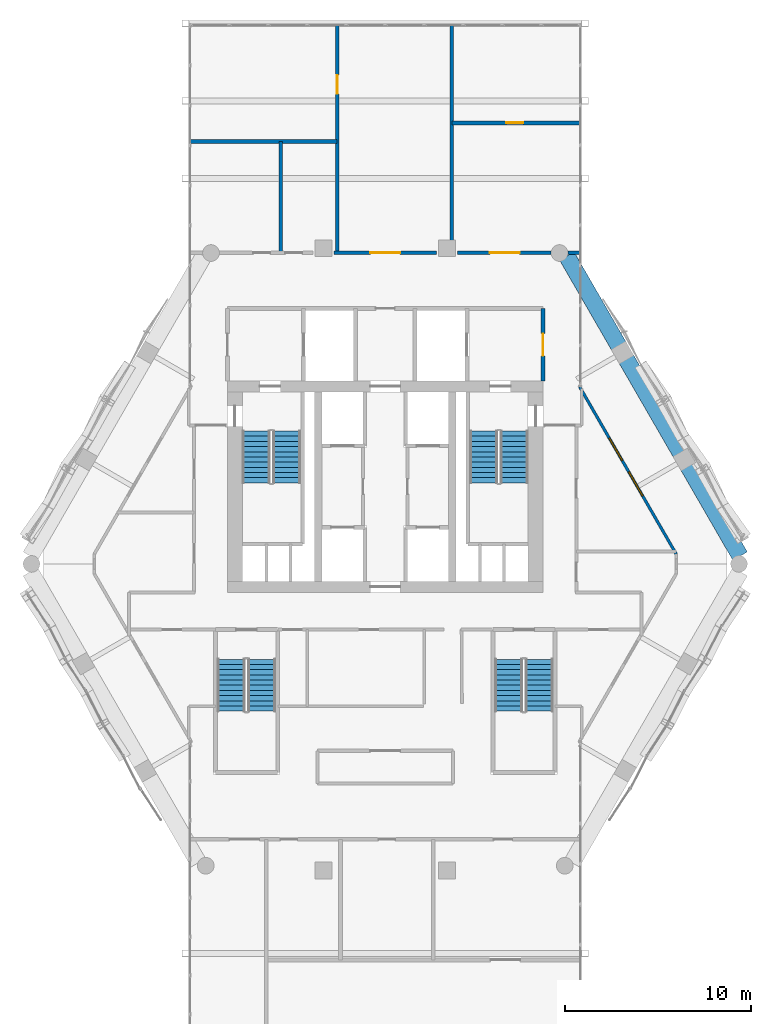
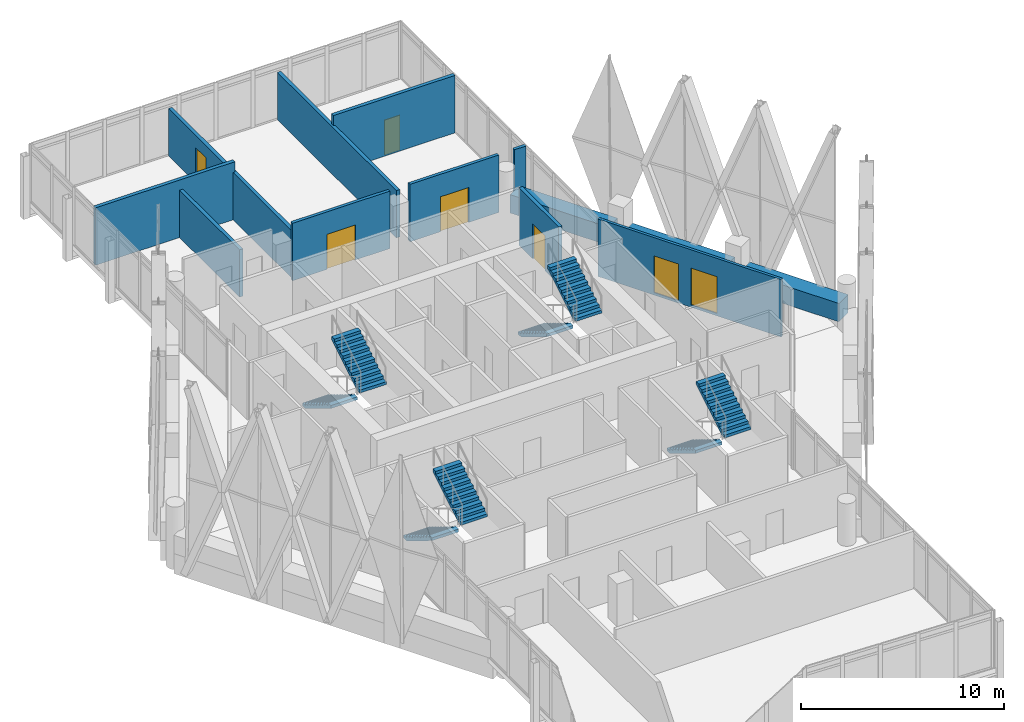
# One storey, part 32 of 37: 13 walls, 8 stair flights, 5 doors, 2 windows, 7 openings, 4 elements without a shape of their own.
"""IFC4 building model written with IfcOpenShell, lengths in metres."""

from ifc_helpers import new_model, si_unit, direction, frame, frame_2d, origin, place, context, subcontext, project, spatial, polyline, rectangle, outline, extrude, material, layer, layer_set, type_object, element, fill, aggregate, save


model = new_model("IFC4")

# Units and contexts
model_context = context("Model", 3, precision=1e-05, world=origin(), true_north=direction((0.0, 1.0)))
body_context = subcontext(model_context, "Body", "Model", "MODEL_VIEW")
ifc_project = project(units=[si_unit("LENGTHUNIT", "METRE"), si_unit("AREAUNIT", "SQUARE_METRE"), si_unit("VOLUMEUNIT", "CUBIC_METRE"), si_unit("PLANEANGLEUNIT", "RADIAN"), si_unit("MASSUNIT", "GRAM", prefix="KILO")], contexts=[model_context])

# Site, building, storey
site_placement = place(None, origin())
site = spatial("IfcSite", under=ifc_project, at=site_placement, CompositionType="ELEMENT")
building_placement = place(site_placement, origin())
building = spatial("IfcBuilding", under=site, at=building_placement, Name="Ostrander Bayou Hotel Tower", CompositionType="ELEMENT")
storey_placement = place(building_placement, frame((0.0, 0.0, 225.75)))
storey = spatial("IfcBuildingStorey", under=building, at=storey_placement, Name="L56", CompositionType="ELEMENT", Elevation=225.75)

# Wall, openings, windows
ifc_material_1 = material(Name="Aluminium framed insulated wall", Category="aluminium")
ifc_layer_1 = layer(ifc_material_1, 0.14990234375)
ifc_layer_set_1 = layer_set([ifc_layer_1], Name="GW1 glass-line wall 150 mm")
wall_type_1 = type_object("IfcWallType", Name="GW1 glass-line wall 150 mm", PredefinedType="SOLIDWALL", material=ifc_layer_set_1)
wall_1_placement = place(storey_placement, frame((15.67724609375, 0.368896484375, 0.0), z_axis=(0.0, 0.0, 1.0), x_axis=(-0.49999822861, 0.866026426494, 0.0)))
wall_1 = element("IfcWall", 1, at=wall_1_placement, inside=storey, type_object=wall_type_1, Name="GW1 L56 NE 1", PredefinedType="SOLIDWALL", context=body_context, shape_type="SweptSolid", body=[
    extrude(rectangle(XDim=10.396484375, YDim=0.14990234375, at=frame_2d((5.1982421875, 0.0))), origin(), (0.0, 0.0, 1.0), 3.449951171875),
])
opening_1_placement = place(wall_1_placement, frame((3.619140625, 0.0, 0.14990234375)))
opening_1 = element("IfcOpeningElement", 2, at=opening_1_placement, cuts=wall_1, Name="Opening W10", PredefinedType="OPENING", context=body_context, shape_type="SweptSolid", body=[
    extrude(rectangle(XDim=1.5, YDim=2.199951171875, at=frame_2d((0.75, 1.10009765625))), frame((0.0, 0.074951171875, 0.0), z_axis=(0.0, -1.0, 0.0), x_axis=(1.0, 0.0, 0.0)), (0.0, 0.0, 1.0), 0.14990234375),
])
opening_2_placement = place(wall_1_placement, frame((5.819091796875, 0.0, 0.14990234375)))
opening_2 = element("IfcOpeningElement", 3, at=opening_2_placement, cuts=wall_1, Name="Opening W14", PredefinedType="OPENING", context=body_context, shape_type="SweptSolid", body=[
    extrude(rectangle(XDim=1.39990234375, YDim=2.199951171875, at=frame_2d((0.699951171875, 1.10009765625))), frame((0.0, 0.074951171875, 0.0), z_axis=(0.0, -1.0, 0.0), x_axis=(1.0, 0.0, 0.0)), (0.0, 0.0, 1.0), 0.14990234375),
])
ifc_material_2 = material(Name="Aluminium and clear glass", Category="aluminium")
window_type_1 = type_object("IfcWindowType", Name="W10 fixed window 1500 mm, bar storeys, zone 4", PartitioningType="SINGLE_PANEL", PredefinedType="WINDOW", material=ifc_material_2)
window_1_placement = place(opening_1_placement, origin())
window_1 = element("IfcWindow", 4, at=window_1_placement, inside=storey, type_object=window_type_1, Name="W10 L56 NE 2", OverallHeight=2.199951171875, OverallWidth=1.5, PartitioningType="SINGLE_PANEL", PredefinedType="WINDOW", context=body_context, shape_type="SweptSolid", body=[
    extrude(rectangle(XDim=1.5, YDim=2.199951171875, at=frame_2d((0.75, 1.10009765625))), frame((0.0, 0.030029296875, 0.0), z_axis=(0.0, -1.0, 0.0), x_axis=(1.0, 0.0, 0.0)), (0.0, 0.0, 1.0), 0.06005859375),
])
fill(opening_1, window_1)
ifc_material_3 = material(Name="Aluminium and clear glass", Category="aluminium")
window_type_2 = type_object("IfcWindowType", Name="W14 fixed window 1400 mm, bath bay, zone 4", PartitioningType="SINGLE_PANEL", PredefinedType="WINDOW", material=ifc_material_3)
window_2_placement = place(opening_2_placement, origin())
window_2 = element("IfcWindow", 5, at=window_2_placement, inside=storey, type_object=window_type_2, Name="W14 L56 NE 2", OverallHeight=2.199951171875, OverallWidth=1.39990234375, PartitioningType="SINGLE_PANEL", PredefinedType="WINDOW", context=body_context, shape_type="SweptSolid", body=[
    extrude(rectangle(XDim=1.39990234375, YDim=2.199951171875, at=frame_2d((0.699951171875, 1.10009765625))), frame((0.0, 0.030029296875, 0.0), z_axis=(0.0, -1.0, 0.0), x_axis=(1.0, 0.0, 0.0)), (0.0, 0.0, 1.0), 0.06005859375),
])
fill(opening_2, window_2)

# Walls
ifc_material_4 = material(Name="Concrete f'c 40 MPa", Category="concrete")
ifc_layer_2 = layer(ifc_material_4, 0.89990234375)
ifc_layer_set_2 = layer_set([ifc_layer_2], Name="PA1 stone-faced parapet 900 mm")
wall_type_2 = type_object("IfcWallType", Name="PA1 stone-faced parapet 900 mm", PredefinedType="PARAPET", material=ifc_layer_set_2)
wall_2_placement = place(storey_placement, frame((19.11865234375, 0.25830078125, 0.0), z_axis=(0.0, 0.0, 1.0), x_axis=(-0.500007442593, 0.866021106759, 0.0)))
element("IfcWall", 6, at=wall_2_placement, inside=storey, type_object=wall_type_2, Name="PA1 L56 NE-1", PredefinedType="PARAPET", context=body_context, shape_type="SweptSolid", body=[
    extrude(rectangle(XDim=5.58642578125, YDim=0.89990234375, at=frame_2d((2.793212890625, 0.0))), origin(), (0.0, 0.0, 1.0), 1.10009765625),
])
wall_3_placement = place(storey_placement, frame((15.905517578125, 5.823486328125, 0.0), z_axis=(0.0, 0.0, 1.0), x_axis=(-0.499997265274, 0.866026982673, 0.0)))
element("IfcWall", 7, at=wall_3_placement, inside=storey, type_object=wall_type_2, Name="PA1 L56 NE-2", PredefinedType="PARAPET", context=body_context, shape_type="SweptSolid", body=[
    extrude(rectangle(XDim=5.81884765625, YDim=0.89990234375, at=frame_2d((2.909423828125, 0.0))), origin(), (0.0, 0.0, 1.0), 1.10009765625),
])
wall_4_placement = place(storey_placement, frame((12.576171875, 11.590087890625, 0.0), z_axis=(0.0, 0.0, 1.0), x_axis=(-0.500007442593, 0.866021106759, 0.0)))
element("IfcWall", 8, at=wall_4_placement, inside=storey, type_object=wall_type_2, Name="PA1 L56 NE-3", PredefinedType="PARAPET", context=body_context, shape_type="SweptSolid", body=[
    extrude(rectangle(XDim=5.58642578125, YDim=0.89990234375, at=frame_2d((2.793212890625, 0.0))), origin(), (0.0, 0.0, 1.0), 1.10009765625),
])
ifc_material_5 = material(Name="Gypsum board partition", Category="finish")
ifc_layer_3 = layer(ifc_material_5, 0.199951171875)
ifc_layer_set_3 = layer_set([ifc_layer_3], Name="PT3 demising wall 200 mm acoustic double stud, 1 hour")
wall_type_3 = type_object("IfcWallType", Name="PT3 demising wall 200 mm acoustic double stud, 1 hour", PredefinedType="PARTITIONING", material=ifc_layer_set_3)
wall_5_placement = place(storey_placement, frame((-10.4931640625, 22.60009765625, 0.0), z_axis=(0.0, 0.0, 1.0), x_axis=(1.0, 0.0, 0.0)))
element("IfcWall", 9, at=wall_5_placement, inside=storey, type_object=wall_type_3, Name="sw:L56:511", PredefinedType="PARTITIONING", context=body_context, shape_type="SweptSolid", body=[
    extrude(rectangle(XDim=7.906005859375, YDim=0.199951171875, at=frame_2d((3.953125, 0.0))), origin(), (0.0, 0.0, 1.0), 3.449951171875),
])

# Wall, opening, door
wall_6_placement = place(storey_placement, frame((3.587158203125, 23.60009765625, 0.0), z_axis=(0.0, 0.0, 1.0), x_axis=(1.0, 0.0, 0.0)))
wall_6 = element("IfcWall", 10, at=wall_6_placement, inside=storey, type_object=wall_type_3, Name="sw:L56:512", PredefinedType="PARTITIONING", context=body_context, shape_type="SweptSolid", body=[
    extrude(rectangle(XDim=6.906005859375, YDim=0.199951171875, at=frame_2d((3.453125, 0.0))), origin(), (0.0, 0.0, 1.0), 3.449951171875),
])
opening_3_placement = place(wall_6_placement, frame((2.93505859375, 0.0, 0.0)))
opening_3 = element("IfcOpeningElement", 11, at=opening_3_placement, cuts=wall_6, Name="Opening T55-1207", PredefinedType="OPENING", context=body_context, shape_type="SweptSolid", body=[
    extrude(rectangle(XDim=0.89990234375, YDim=2.10009765625, at=frame_2d((0.449951171875, 1.050048828125))), frame((0.0, 0.10009765625, 0.0), z_axis=(0.0, -1.0, 0.0), x_axis=(1.0, 0.0, 0.0)), (0.0, 0.0, 1.0), 0.199951171875),
])
ifc_material_6 = material(Name="Timber door leaf", Category="wood")
door_type_1 = type_object("IfcDoorType", Name="D8 room door 900 x 2100 mm", OperationType="SINGLE_SWING_LEFT", PredefinedType="DOOR", material=ifc_material_6)
door_1_placement = place(opening_3_placement, origin())
door_1 = element("IfcDoor", 12, at=door_1_placement, inside=storey, type_object=door_type_1, Name="dr:L56:1207", OperationType="SINGLE_SWING_LEFT", OverallHeight=2.10009765625, OverallWidth=0.89990234375, PredefinedType="DOOR", context=body_context, shape_type="SweptSolid", body=[
    extrude(rectangle(XDim=0.89990234375, YDim=2.10009765625, at=frame_2d((0.449951171875, 1.050048828125))), frame((0.0, 0.02490234375, 0.0), z_axis=(0.0, -1.0, 0.0), x_axis=(1.0, 0.0, 0.0)), (0.0, 0.0, 1.0), 0.050048828125),
])
fill(opening_3, door_1)

# Wall
wall_7_placement = place(storey_placement, frame((-5.626953125, 16.60009765625, 0.0), z_axis=(0.0, 0.0, 1.0), x_axis=(0.0, 1.0, 0.0)))
element("IfcWall", 13, at=wall_7_placement, inside=storey, type_object=wall_type_3, Name="sw:L56:514", PredefinedType="PARTITIONING", context=body_context, shape_type="SweptSolid", body=[
    extrude(rectangle(XDim=6.0, YDim=0.199951171875, at=frame_2d((3.0, 0.0))), origin(), (0.0, 0.0, 1.0), 2.8388671875),
])

# Wall, opening, door
wall_8_placement = place(storey_placement, frame((-2.5869140625, 16.60009765625, 0.0), z_axis=(0.0, 0.0, 1.0), x_axis=(0.0, 1.0, 0.0)))
wall_8 = element("IfcWall", 14, at=wall_8_placement, inside=storey, type_object=wall_type_3, Name="sw:L56:515", PredefinedType="PARTITIONING", context=body_context, shape_type="SweptSolid", body=[
    extrude(rectangle(XDim=12.24755859375, YDim=0.199951171875, at=frame_2d((6.123779296875, 0.0))), origin(), (0.0, 0.0, 1.0), 2.8388671875),
])
opening_4_placement = place(wall_8_placement, frame((8.568359375, 0.0, 0.0)))
opening_4 = element("IfcOpeningElement", 15, at=opening_4_placement, cuts=wall_8, Name="Opening T55-1208", PredefinedType="OPENING", context=body_context, shape_type="SweptSolid", body=[
    extrude(rectangle(XDim=1.0, YDim=2.10009765625, at=frame_2d((0.5, 1.050048828125))), frame((0.0, 0.10009765625, 0.0), z_axis=(0.0, -1.0, 0.0), x_axis=(1.0, 0.0, 0.0)), (0.0, 0.0, 1.0), 0.199951171875),
])
ifc_material_7 = material(Name="Timber door leaf", Category="wood")
door_type_2 = type_object("IfcDoorType", Name="D9 service door 1000 x 2100 mm, 30 minute", OperationType="SINGLE_SWING_LEFT", PredefinedType="DOOR", material=ifc_material_7)
door_2_placement = place(opening_4_placement, origin())
door_2 = element("IfcDoor", 16, at=door_2_placement, inside=storey, type_object=door_type_2, Name="dr:L56:1208", OperationType="SINGLE_SWING_RIGHT", OverallHeight=2.10009765625, OverallWidth=1.0, PredefinedType="DOOR", context=body_context, shape_type="SweptSolid", body=[
    extrude(rectangle(XDim=1.0, YDim=2.10009765625, at=frame_2d((0.5, 1.050048828125))), frame((0.0, 0.02490234375, 0.0), z_axis=(0.0, -1.0, 0.0), x_axis=(1.0, 0.0, 0.0)), (0.0, 0.0, 1.0), 0.050048828125),
])
fill(opening_4, door_2)

# Wall
wall_9_placement = place(storey_placement, frame((3.5869140625, 17.139892578125, 0.0), z_axis=(0.0, 0.0, 1.0), x_axis=(0.0, 1.0, 0.0)))
element("IfcWall", 17, at=wall_9_placement, inside=storey, type_object=wall_type_3, Name="sw:L56:518", PredefinedType="PARTITIONING", context=body_context, shape_type="SweptSolid", body=[
    extrude(rectangle(XDim=11.707763671875, YDim=0.199951171875, at=frame_2d((5.85400390625, 0.0))), origin(), (0.0, 0.0, 1.0), 2.8388671875),
])

# Wall, opening, door
ifc_material_8 = material(Name="Gypsum board partition", Category="finish")
ifc_layer_4 = layer(ifc_material_8, 0.175048828125)
ifc_layer_set_4 = layer_set([ifc_layer_4], Name="PT4 corridor wall 175 mm, 1 hour")
wall_type_4 = type_object("IfcWallType", Name="PT4 corridor wall 175 mm, 1 hour", PredefinedType="PARTITIONING", material=ifc_layer_set_4)
wall_10_placement = place(storey_placement, frame((-2.760009765625, 16.60009765625, 0.0), z_axis=(0.0, 0.0, 1.0), x_axis=(1.0, 0.0, 0.0)))
wall_10 = element("IfcWall", 18, at=wall_10_placement, inside=storey, type_object=wall_type_4, Name="sw:L56:505", PredefinedType="PARTITIONING", context=body_context, shape_type="SweptSolid", body=[
    extrude(rectangle(XDim=5.52001953125, YDim=0.175048828125, at=frame_2d((2.760009765625, 0.0))), origin(), (0.0, 0.0, 1.0), 3.449951171875),
])
opening_5_placement = place(wall_10_placement, frame((1.9599609375, 0.0, 0.0)))
opening_5 = element("IfcOpeningElement", 19, at=opening_5_placement, cuts=wall_10, Name="Opening T55-1211", PredefinedType="OPENING", context=body_context, shape_type="SweptSolid", body=[
    extrude(rectangle(XDim=1.60009765625, YDim=2.10009765625, at=frame_2d((0.800048828125, 1.050048828125))), frame((0.0, 0.08740234375, 0.0), z_axis=(0.0, -1.0, 0.0), x_axis=(1.0, 0.0, 0.0)), (0.0, 0.0, 1.0), 0.175048828125),
])
ifc_material_9 = material(Name="Timber door leaf", Category="wood")
door_type_3 = type_object("IfcDoorType", Name="D13 double door 1600 x 2100 mm, 1 hour", OperationType="SINGLE_SWING_LEFT", PredefinedType="DOOR", material=ifc_material_9)
door_3_placement = place(opening_5_placement, origin())
door_3 = element("IfcDoor", 20, at=door_3_placement, inside=storey, type_object=door_type_3, Name="dr:L56:1211", OperationType="DOUBLE_DOOR_SINGLE_SWING", OverallHeight=2.10009765625, OverallWidth=1.60009765625, PredefinedType="DOOR", context=body_context, shape_type="SweptSolid", body=[
    extrude(rectangle(XDim=1.60009765625, YDim=2.10009765625, at=frame_2d((0.800048828125, 1.050048828125))), frame((0.0, 0.02490234375, 0.0), z_axis=(0.0, -1.0, 0.0), x_axis=(1.0, 0.0, 0.0)), (0.0, 0.0, 1.0), 0.050048828125),
])
fill(opening_5, door_3)

wall_11_placement = place(storey_placement, frame((3.89892578125, 16.60009765625, 0.0), z_axis=(0.0, 0.0, 1.0), x_axis=(1.0, 0.0, 0.0)))
wall_11 = element("IfcWall", 21, at=wall_11_placement, inside=storey, type_object=wall_type_4, Name="sw:L56:506", PredefinedType="PARTITIONING", context=body_context, shape_type="SweptSolid", body=[
    extrude(rectangle(XDim=5.040771484375, YDim=0.175048828125, at=frame_2d((2.5205078125, 0.0))), origin(), (0.0, 0.0, 1.0), 3.449951171875),
])
opening_6_placement = place(wall_11_placement, frame((1.740966796875, 0.0, 0.0)))
opening_6 = element("IfcOpeningElement", 22, at=opening_6_placement, cuts=wall_11, Name="Opening T55-1206", PredefinedType="OPENING", context=body_context, shape_type="SweptSolid", body=[
    extrude(rectangle(XDim=1.60009765625, YDim=2.10009765625, at=frame_2d((0.800048828125, 1.050048828125))), frame((0.0, 0.08740234375, 0.0), z_axis=(0.0, -1.0, 0.0), x_axis=(1.0, 0.0, 0.0)), (0.0, 0.0, 1.0), 0.175048828125),
])
door_4_placement = place(opening_6_placement, origin())
door_4 = element("IfcDoor", 23, at=door_4_placement, inside=storey, type_object=door_type_3, Name="dr:L56:1206", OperationType="DOUBLE_DOOR_SINGLE_SWING", OverallHeight=2.10009765625, OverallWidth=1.60009765625, PredefinedType="DOOR", context=body_context, shape_type="SweptSolid", body=[
    extrude(rectangle(XDim=1.60009765625, YDim=2.10009765625, at=frame_2d((0.800048828125, 1.050048828125))), frame((0.0, 0.02490234375, 0.0), z_axis=(0.0, -1.0, 0.0), x_axis=(1.0, 0.0, 0.0)), (0.0, 0.0, 1.0), 0.050048828125),
])
fill(opening_6, door_4)

# Wall
wall_12_placement = place(storey_placement, frame((9.83740234375, 16.60009765625, 0.0), z_axis=(0.0, 0.0, 1.0), x_axis=(1.0, 0.0, 0.0)))
element("IfcWall", 24, at=wall_12_placement, inside=storey, type_object=wall_type_4, Name="sw:L56:507", PredefinedType="PARTITIONING", context=body_context, shape_type="SweptSolid", body=[
    extrude(rectangle(XDim=0.65576171875, YDim=0.175048828125, at=frame_2d((0.327880859375, 0.0))), origin(), (0.0, 0.0, 1.0), 3.449951171875),
])

# Wall, opening, door
ifc_material_10 = material(Name="Masonry block", Category="masonry")
ifc_layer_5 = layer(ifc_material_10, 0.199951171875)
ifc_layer_set_5 = layer_set([ifc_layer_5], Name="PT5 stair enclosure wall 200 mm masonry, 2 hour")
wall_type_5 = type_object("IfcWallType", Name="PT5 stair enclosure wall 200 mm masonry, 2 hour", PredefinedType="PARTITIONING", material=ifc_layer_set_5)
wall_13_placement = place(storey_placement, frame((8.5, 9.699951171875, 0.0), z_axis=(0.0, 0.0, 1.0), x_axis=(0.0, 1.0, 0.0)))
wall_13 = element("IfcWall", 25, at=wall_13_placement, inside=storey, type_object=wall_type_5, Name="cs:L56:027", PredefinedType="PARTITIONING", context=body_context, shape_type="SweptSolid", body=[
    extrude(rectangle(XDim=3.900146484375, YDim=0.199951171875, at=frame_2d((1.9501953125, 0.0))), origin(), (0.0, 0.0, 1.0), 3.449951171875),
])
opening_7_placement = place(wall_13_placement, frame((1.35009765625, 0.0, 0.0)))
opening_7 = element("IfcOpeningElement", 26, at=opening_7_placement, cuts=wall_13, Name="Opening T55-016", PredefinedType="OPENING", context=body_context, shape_type="SweptSolid", body=[
    extrude(rectangle(XDim=1.199951171875, YDim=2.10009765625, at=frame_2d((0.60009765625, 1.050048828125))), frame((0.0, 0.10009765625, 0.0), z_axis=(0.0, -1.0, 0.0), x_axis=(1.0, 0.0, 0.0)), (0.0, 0.0, 1.0), 0.199951171875),
])
ifc_material_11 = material(Name="Timber door leaf", Category="wood")
door_type_4 = type_object("IfcDoorType", Name="D7 lobby door 1200 x 2100 mm, 1 hour", OperationType="SINGLE_SWING_LEFT", PredefinedType="DOOR", material=ifc_material_11)
door_5_placement = place(opening_7_placement, origin())
door_5 = element("IfcDoor", 27, at=door_5_placement, inside=storey, type_object=door_type_4, Name="dr:L56:016", OperationType="SINGLE_SWING_LEFT", OverallHeight=2.10009765625, OverallWidth=1.199951171875, PredefinedType="DOOR", context=body_context, shape_type="SweptSolid", body=[
    extrude(rectangle(XDim=1.199951171875, YDim=2.10009765625, at=frame_2d((0.60009765625, 1.050048828125))), frame((0.0, 0.02490234375, 0.0), z_axis=(0.0, -1.0, 0.0), x_axis=(1.0, 0.0, 0.0)), (0.0, 0.0, 1.0), 0.050048828125),
])
fill(opening_7, door_5)

# Stair, stair flights
ifc_material_12 = material(Name="Concrete f'c 45 MPa", Category="concrete")
stair_type = type_object("IfcStairType", Name="ST1 exit stair 1500 mm f'c 45 MPa", PredefinedType="HALF_TURN_STAIR", material=ifc_material_12)
stair_1_placement = place(storey_placement, origin())
stair_1 = element("IfcStair", 28, at=stair_1_placement, inside=storey, type_object=stair_type, Name="L56 exit stair A", PredefinedType="HALF_TURN_STAIR")
ifc_material_13 = material(Name="Concrete f'c 45 MPa", Category="concrete")
stair_flight_type = type_object("IfcStairFlightType", Name="SF1 stair flight 1500 mm f'c 45 MPa", PredefinedType="STRAIGHT", material=ifc_material_13)
stair_flight_1_placement = place(storey_placement, frame((-6.949951171875, 7.0, 0.0), z_axis=(0.0, 0.0, 1.0), x_axis=(0.0, -1.0, 0.0)))
stair_flight_1 = element("IfcStairFlight", 29, at=stair_flight_1_placement, type_object=stair_flight_type, Name="STA flight 1", NumberOfRisers=11, NumberOfTreads=10, PredefinedType="STRAIGHT", RiserHeight=0.170454545, TreadLength=0.28, context=body_context, shape_type="SweptSolid", body=[
    extrude(outline(polyline([(0.0, 0.0), (0.0, 0.17041015625), (0.280029296875, 0.17041015625), (0.280029296875, 0.3408203125), (0.56005859375, 0.3408203125), (0.56005859375, 0.511474609375), (0.840087890625, 0.511474609375), (0.840087890625, 0.681884765625), (1.1201171875, 0.681884765625), (1.1201171875, 0.852294921875), (1.39990234375, 0.852294921875), (1.39990234375, 1.022705078125), (1.679931640625, 1.022705078125), (1.679931640625, 1.193115234375), (1.9599609375, 1.193115234375), (1.9599609375, 1.363525390625), (2.239990234375, 1.363525390625), (2.239990234375, 1.5341796875), (2.52001953125, 1.5341796875), (2.52001953125, 1.70458984375), (2.800048828125, 1.70458984375), (2.800048828125, 1.875), (2.800048828125, 1.529052734375), (0.288330078125, 0.0), (0.0, 0.0)])), frame((0.0, 0.75, 0.0), z_axis=(0.0, -1.0, 0.0), x_axis=(1.0, 0.0, 0.0)), (0.0, 0.0, 1.0), 1.5),
])
stair_flight_2_placement = place(storey_placement, frame((-5.300048828125, 4.199951171875, 1.875), z_axis=(0.0, 0.0, 1.0), x_axis=(0.0, 1.0, 0.0)))
stair_flight_2 = element("IfcStairFlight", 30, at=stair_flight_2_placement, type_object=stair_flight_type, Name="STA flight 2", NumberOfRisers=11, NumberOfTreads=10, PredefinedType="STRAIGHT", RiserHeight=0.170454545, TreadLength=0.28, context=body_context, shape_type="SweptSolid", body=[
    extrude(outline(polyline([(0.0, 0.0), (0.0, 0.17041015625), (0.280029296875, 0.17041015625), (0.280029296875, 0.3408203125), (0.56005859375, 0.3408203125), (0.56005859375, 0.511474609375), (0.840087890625, 0.511474609375), (0.840087890625, 0.681884765625), (1.1201171875, 0.681884765625), (1.1201171875, 0.852294921875), (1.39990234375, 0.852294921875), (1.39990234375, 1.022705078125), (1.679931640625, 1.022705078125), (1.679931640625, 1.193115234375), (1.9599609375, 1.193115234375), (1.9599609375, 1.363525390625), (2.239990234375, 1.363525390625), (2.239990234375, 1.5341796875), (2.52001953125, 1.5341796875), (2.52001953125, 1.70458984375), (2.800048828125, 1.70458984375), (2.800048828125, 1.875), (2.800048828125, 1.529052734375), (0.288330078125, 0.0), (0.0, 0.0)])), frame((0.0, 0.75, 0.0), z_axis=(0.0, -1.0, 0.0), x_axis=(1.0, 0.0, 0.0)), (0.0, 0.0, 1.0), 1.5),
])
aggregate(stair_1, [stair_flight_1, stair_flight_2])

stair_2_placement = place(storey_placement, origin())
stair_2 = element("IfcStair", 31, at=stair_2_placement, inside=storey, type_object=stair_type, Name="L56 exit stair B", PredefinedType="HALF_TURN_STAIR")
stair_flight_3_placement = place(storey_placement, frame((5.300048828125, 7.0, 0.0), z_axis=(0.0, 0.0, 1.0), x_axis=(0.0, -1.0, 0.0)))
stair_flight_3 = element("IfcStairFlight", 32, at=stair_flight_3_placement, type_object=stair_flight_type, Name="STB flight 1", NumberOfRisers=11, NumberOfTreads=10, PredefinedType="STRAIGHT", RiserHeight=0.170454545, TreadLength=0.28, context=body_context, shape_type="SweptSolid", body=[
    extrude(outline(polyline([(0.0, 0.0), (0.0, 0.17041015625), (0.280029296875, 0.17041015625), (0.280029296875, 0.3408203125), (0.56005859375, 0.3408203125), (0.56005859375, 0.511474609375), (0.840087890625, 0.511474609375), (0.840087890625, 0.681884765625), (1.1201171875, 0.681884765625), (1.1201171875, 0.852294921875), (1.39990234375, 0.852294921875), (1.39990234375, 1.022705078125), (1.679931640625, 1.022705078125), (1.679931640625, 1.193115234375), (1.9599609375, 1.193115234375), (1.9599609375, 1.363525390625), (2.239990234375, 1.363525390625), (2.239990234375, 1.5341796875), (2.52001953125, 1.5341796875), (2.52001953125, 1.70458984375), (2.800048828125, 1.70458984375), (2.800048828125, 1.875), (2.800048828125, 1.529052734375), (0.288330078125, 0.0), (0.0, 0.0)])), frame((0.0, 0.75, 0.0), z_axis=(0.0, -1.0, 0.0), x_axis=(1.0, 0.0, 0.0)), (0.0, 0.0, 1.0), 1.5),
])
stair_flight_4_placement = place(storey_placement, frame((6.949951171875, 4.199951171875, 1.875), z_axis=(0.0, 0.0, 1.0), x_axis=(0.0, 1.0, 0.0)))
stair_flight_4 = element("IfcStairFlight", 33, at=stair_flight_4_placement, type_object=stair_flight_type, Name="STB flight 2", NumberOfRisers=11, NumberOfTreads=10, PredefinedType="STRAIGHT", RiserHeight=0.170454545, TreadLength=0.28, context=body_context, shape_type="SweptSolid", body=[
    extrude(outline(polyline([(0.0, 0.0), (0.0, 0.17041015625), (0.280029296875, 0.17041015625), (0.280029296875, 0.3408203125), (0.56005859375, 0.3408203125), (0.56005859375, 0.511474609375), (0.840087890625, 0.511474609375), (0.840087890625, 0.681884765625), (1.1201171875, 0.681884765625), (1.1201171875, 0.852294921875), (1.39990234375, 0.852294921875), (1.39990234375, 1.022705078125), (1.679931640625, 1.022705078125), (1.679931640625, 1.193115234375), (1.9599609375, 1.193115234375), (1.9599609375, 1.363525390625), (2.239990234375, 1.363525390625), (2.239990234375, 1.5341796875), (2.52001953125, 1.5341796875), (2.52001953125, 1.70458984375), (2.800048828125, 1.70458984375), (2.800048828125, 1.875), (2.800048828125, 1.529052734375), (0.288330078125, 0.0), (0.0, 0.0)])), frame((0.0, 0.75, 0.0), z_axis=(0.0, -1.0, 0.0), x_axis=(1.0, 0.0, 0.0)), (0.0, 0.0, 1.0), 1.5),
])
aggregate(stair_2, [stair_flight_3, stair_flight_4])

stair_3_placement = place(storey_placement, origin())
stair_3 = element("IfcStair", 34, at=stair_3_placement, inside=storey, type_object=stair_type, Name="L56 exit stair C", PredefinedType="HALF_TURN_STAIR")
stair_flight_5_placement = place(storey_placement, frame((6.64990234375, -5.300048828125, 0.0), z_axis=(0.0, 0.0, 1.0), x_axis=(0.0, -1.0, 0.0)))
stair_flight_5 = element("IfcStairFlight", 35, at=stair_flight_5_placement, type_object=stair_flight_type, Name="STC flight 1", NumberOfRisers=11, NumberOfTreads=10, PredefinedType="STRAIGHT", RiserHeight=0.170454545, TreadLength=0.28, context=body_context, shape_type="SweptSolid", body=[
    extrude(outline(polyline([(0.0, 0.0), (0.0, 0.17041015625), (0.280029296875, 0.17041015625), (0.280029296875, 0.3408203125), (0.56005859375, 0.3408203125), (0.56005859375, 0.511474609375), (0.840087890625, 0.511474609375), (0.840087890625, 0.681884765625), (1.1201171875, 0.681884765625), (1.1201171875, 0.852294921875), (1.39990234375, 0.852294921875), (1.39990234375, 1.022705078125), (1.679931640625, 1.022705078125), (1.679931640625, 1.193115234375), (1.9599609375, 1.193115234375), (1.9599609375, 1.363525390625), (2.239990234375, 1.363525390625), (2.239990234375, 1.5341796875), (2.52001953125, 1.5341796875), (2.52001953125, 1.70458984375), (2.800048828125, 1.70458984375), (2.800048828125, 1.875), (2.800048828125, 1.529052734375), (0.288330078125, 0.0), (0.0, 0.0)])), frame((0.0, 0.75, 0.0), z_axis=(0.0, -1.0, 0.0), x_axis=(1.0, 0.0, 0.0)), (0.0, 0.0, 1.0), 1.5),
])
stair_flight_6_placement = place(storey_placement, frame((8.300048828125, -8.10009765625, 1.875), z_axis=(0.0, 0.0, 1.0), x_axis=(0.0, 1.0, 0.0)))
stair_flight_6 = element("IfcStairFlight", 36, at=stair_flight_6_placement, type_object=stair_flight_type, Name="STC flight 2", NumberOfRisers=11, NumberOfTreads=10, PredefinedType="STRAIGHT", RiserHeight=0.170454545, TreadLength=0.28, context=body_context, shape_type="SweptSolid", body=[
    extrude(outline(polyline([(0.0, 0.0), (0.0, 0.17041015625), (0.280029296875, 0.17041015625), (0.280029296875, 0.3408203125), (0.56005859375, 0.3408203125), (0.56005859375, 0.511474609375), (0.840087890625, 0.511474609375), (0.840087890625, 0.681884765625), (1.1201171875, 0.681884765625), (1.1201171875, 0.852294921875), (1.39990234375, 0.852294921875), (1.39990234375, 1.022705078125), (1.679931640625, 1.022705078125), (1.679931640625, 1.193115234375), (1.9599609375, 1.193115234375), (1.9599609375, 1.363525390625), (2.239990234375, 1.363525390625), (2.239990234375, 1.5341796875), (2.52001953125, 1.5341796875), (2.52001953125, 1.70458984375), (2.800048828125, 1.70458984375), (2.800048828125, 1.875), (2.800048828125, 1.529052734375), (0.288330078125, 0.0), (0.0, 0.0)])), frame((0.0, 0.75, 0.0), z_axis=(0.0, -1.0, 0.0), x_axis=(1.0, 0.0, 0.0)), (0.0, 0.0, 1.0), 1.5),
])
aggregate(stair_3, [stair_flight_5, stair_flight_6])

stair_4_placement = place(storey_placement, origin())
stair_4 = element("IfcStair", 37, at=stair_4_placement, inside=storey, type_object=stair_type, Name="L56 exit stair D", PredefinedType="HALF_TURN_STAIR")
stair_flight_7_placement = place(storey_placement, frame((-8.300048828125, -5.300048828125, 0.0), z_axis=(0.0, 0.0, 1.0), x_axis=(0.0, -1.0, 0.0)))
stair_flight_7 = element("IfcStairFlight", 38, at=stair_flight_7_placement, type_object=stair_flight_type, Name="STD flight 1", NumberOfRisers=11, NumberOfTreads=10, PredefinedType="STRAIGHT", RiserHeight=0.170454545, TreadLength=0.28, context=body_context, shape_type="SweptSolid", body=[
    extrude(outline(polyline([(0.0, 0.0), (0.0, 0.17041015625), (0.280029296875, 0.17041015625), (0.280029296875, 0.3408203125), (0.56005859375, 0.3408203125), (0.56005859375, 0.511474609375), (0.840087890625, 0.511474609375), (0.840087890625, 0.681884765625), (1.1201171875, 0.681884765625), (1.1201171875, 0.852294921875), (1.39990234375, 0.852294921875), (1.39990234375, 1.022705078125), (1.679931640625, 1.022705078125), (1.679931640625, 1.193115234375), (1.9599609375, 1.193115234375), (1.9599609375, 1.363525390625), (2.239990234375, 1.363525390625), (2.239990234375, 1.5341796875), (2.52001953125, 1.5341796875), (2.52001953125, 1.70458984375), (2.800048828125, 1.70458984375), (2.800048828125, 1.875), (2.800048828125, 1.529052734375), (0.288330078125, 0.0), (0.0, 0.0)])), frame((0.0, 0.75, 0.0), z_axis=(0.0, -1.0, 0.0), x_axis=(1.0, 0.0, 0.0)), (0.0, 0.0, 1.0), 1.5),
])
stair_flight_8_placement = place(storey_placement, frame((-6.64990234375, -8.10009765625, 1.875), z_axis=(0.0, 0.0, 1.0), x_axis=(0.0, 1.0, 0.0)))
stair_flight_8 = element("IfcStairFlight", 39, at=stair_flight_8_placement, type_object=stair_flight_type, Name="STD flight 2", NumberOfRisers=11, NumberOfTreads=10, PredefinedType="STRAIGHT", RiserHeight=0.170454545, TreadLength=0.28, context=body_context, shape_type="SweptSolid", body=[
    extrude(outline(polyline([(0.0, 0.0), (0.0, 0.17041015625), (0.280029296875, 0.17041015625), (0.280029296875, 0.3408203125), (0.56005859375, 0.3408203125), (0.56005859375, 0.511474609375), (0.840087890625, 0.511474609375), (0.840087890625, 0.681884765625), (1.1201171875, 0.681884765625), (1.1201171875, 0.852294921875), (1.39990234375, 0.852294921875), (1.39990234375, 1.022705078125), (1.679931640625, 1.022705078125), (1.679931640625, 1.193115234375), (1.9599609375, 1.193115234375), (1.9599609375, 1.363525390625), (2.239990234375, 1.363525390625), (2.239990234375, 1.5341796875), (2.52001953125, 1.5341796875), (2.52001953125, 1.70458984375), (2.800048828125, 1.70458984375), (2.800048828125, 1.875), (2.800048828125, 1.529052734375), (0.288330078125, 0.0), (0.0, 0.0)])), frame((0.0, 0.75, 0.0), z_axis=(0.0, -1.0, 0.0), x_axis=(1.0, 0.0, 0.0)), (0.0, 0.0, 1.0), 1.5),
])
aggregate(stair_4, [stair_flight_7, stair_flight_8])

save(model, "model.ifc")
